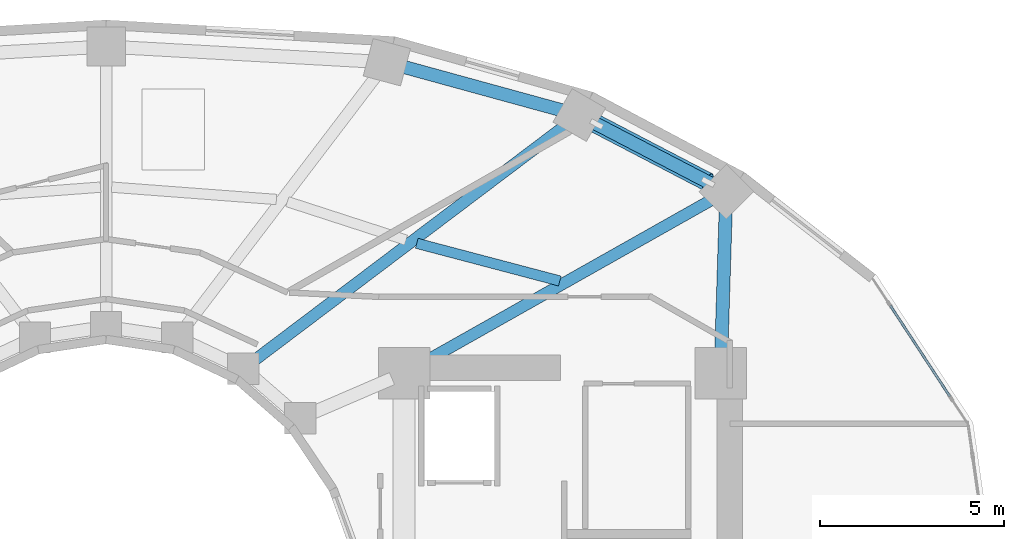
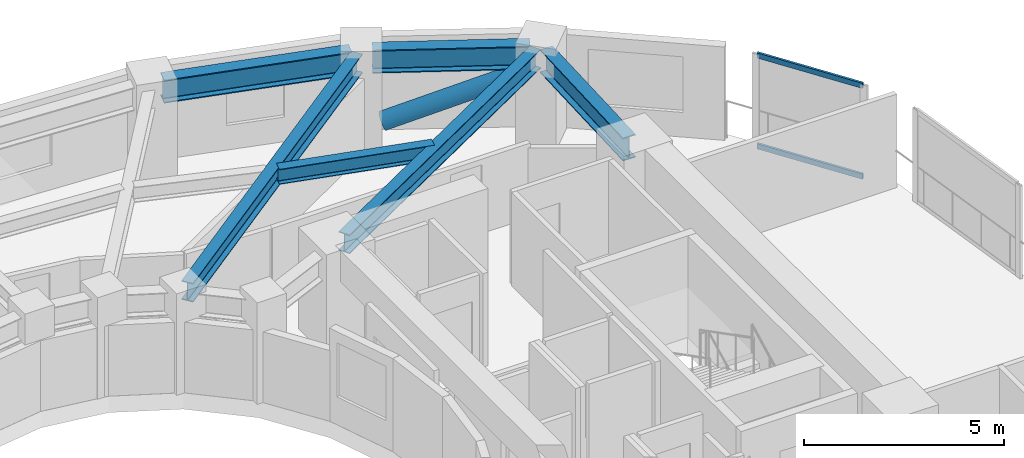
# One storey, part 4 of 13: 6 beams, 3 members, 1 element without a shape of its own.
"""IFC4 building model written with IfcOpenShell, lengths in metres."""

from ifc_helpers import new_model, si_unit, direction, frame, origin, origin_2d, place, context, subcontext, project, spatial, hollow_rectangle, hollow_circle, i_section, extrude, material, layer, layer_set, material_profile, profile_set, type_object, element, aggregate, save


model = new_model("IFC4")

# Units and contexts
model_context = context("Model", 3, precision=1e-05, world=origin(), true_north=direction((0.0, 1.0)))
body_context = subcontext(model_context, "Body", "Model", "MODEL_VIEW")
ifc_project = project(units=[si_unit("LENGTHUNIT", "METRE"), si_unit("AREAUNIT", "SQUARE_METRE"), si_unit("VOLUMEUNIT", "CUBIC_METRE"), si_unit("PLANEANGLEUNIT", "RADIAN"), si_unit("MASSUNIT", "GRAM", prefix="KILO")], contexts=[model_context])

# Site, building, storey
site_placement = place(None, origin())
site = spatial("IfcSite", under=ifc_project, at=site_placement, CompositionType="ELEMENT")
building_placement = place(site_placement, origin())
building = spatial("IfcBuilding", under=site, at=building_placement, Name="Solvane Sanctuary Tower", CompositionType="ELEMENT")
storey_placement = place(building_placement, frame((0.0, 0.0, 85.60009765625)))
storey = spatial("IfcBuildingStorey", under=building, at=storey_placement, Name="L25", CompositionType="ELEMENT", Elevation=85.60009765625)

# Beams
ifc_material_1 = material(Name="Steel ASTM A992 Grade 50", Category="steel")
ifc_material_profile_1 = material_profile(ifc_material_1, i_section(OverallWidth=0.31494140625, OverallDepth=0.575927734375, WebThickness=0.01513671875, FlangeThickness=0.0244140625, FilletRadius=0.014892578125, at=origin_2d()), Name="W21X122")
ifc_profile_set_1 = profile_set([ifc_material_profile_1], Name="Steel ASTM A992 Grade 50")
beam_type_1 = type_object("IfcBeamType", Name="Beam B-RAD-Z2 W21X122", PredefinedType="BEAM", material=ifc_profile_set_1)
beam_1_placement = place(storey_placement, frame((40.41357421875, 30.376953125, 2.58984375), z_axis=(0.870960247151, 0.491353485673, 0.0), x_axis=(-0.491353485673, 0.870960247151, 0.0)))
element("IfcBeam", 1, at=beam_1_placement, inside=storey, type_object=beam_type_1, Name="L25 Radial Composite Floor Beam 01", PredefinedType="BEAM", context=body_context, shape_type="SweptSolid", body=[
    extrude(i_section(OverallWidth=0.31494140625, OverallDepth=0.575927734375, WebThickness=0.01513671875, FlangeThickness=0.0244140625, FilletRadius=0.014892578125, at=origin_2d()), origin(), (0.0, 0.0, 1.0), 9.409912109375),
])
beam_2_placement = place(storey_placement, frame((35.95361328125, 30.495361328125, 2.58984375), z_axis=(0.798116040134, 0.602503764703, 0.0), x_axis=(-0.602503764703, 0.798116040134, 0.0)))
element("IfcBeam", 2, at=beam_2_placement, inside=storey, type_object=beam_type_1, Name="L25 Radial Composite Floor Beam 02", PredefinedType="BEAM", context=body_context, shape_type="SweptSolid", body=[
    extrude(i_section(OverallWidth=0.31494140625, OverallDepth=0.575927734375, WebThickness=0.01513671875, FlangeThickness=0.0244140625, FilletRadius=0.014892578125, at=origin_2d()), origin(), (0.0, 0.0, 1.0), 10.876953125),
])
ifc_material_profile_2 = material_profile(ifc_material_1, i_section(OverallWidth=0.280029296875, OverallDepth=0.462890625, WebThickness=0.0107421875, FlangeThickness=0.017333984375, FilletRadius=0.013916015625, at=origin_2d()), Name="W18X76")
ifc_profile_set_2 = profile_set([ifc_material_profile_2], Name="Steel ASTM A992 Grade 50")
beam_type_2 = type_object("IfcBeamType", Name="Beam B-SEC-JOIST W18X76", PredefinedType="JOIST", material=ifc_profile_set_2)
beam_3_placement = place(storey_placement, frame((40.441650390625, 33.733154296875, 2.646484375), z_axis=(0.966943832831, -0.2549894589, 0.0), x_axis=(0.2549894589, 0.966943832831, 0.0)))
element("IfcBeam", 3, at=beam_3_placement, inside=storey, type_object=beam_type_2, Name="L25 Secondary Circumferential Joist 02-01", PredefinedType="JOIST", context=body_context, shape_type="SweptSolid", body=[
    extrude(i_section(OverallWidth=0.280029296875, OverallDepth=0.462890625, WebThickness=0.0107421875, FlangeThickness=0.017333984375, FilletRadius=0.013916015625, at=origin_2d()), origin(), (0.0, 0.0, 1.0), 4.020263671875),
])
ifc_material_profile_3 = material_profile(ifc_material_1, i_section(OverallWidth=0.35791015625, OverallDepth=0.7060546875, WebThickness=0.018310546875, FlangeThickness=0.0302734375, FilletRadius=0.01806640625, at=origin_2d()), Name="W27X178")
ifc_profile_set_3 = profile_set([ifc_material_profile_3], Name="Steel ASTM A992 Grade 50")
beam_type_3 = type_object("IfcBeamType", Name="Beam B-SPAND-Z2 W27X178", PredefinedType="SPANDREL", material=ifc_profile_set_3)
beam_4_placement = place(storey_placement, frame((39.8994140625, 38.577880859375, 2.52490234375), z_axis=(0.964367605241, -0.26456591232, 0.0), x_axis=(0.26456591232, 0.964367605241, 0.0)))
element("IfcBeam", 4, at=beam_4_placement, inside=storey, type_object=beam_type_3, Name="L25 Perimeter Spandrel Beam TC03-TC02", PredefinedType="SPANDREL", context=body_context, shape_type="SweptSolid", body=[
    extrude(i_section(OverallWidth=0.35791015625, OverallDepth=0.7060546875, WebThickness=0.018310546875, FlangeThickness=0.0302734375, FilletRadius=0.01806640625, at=origin_2d()), origin(), (0.0, 0.0, 1.0), 4.8623046875),
])
beam_5_placement = place(storey_placement, frame((45.106689453125, 37.088134765625, 2.52490234375), z_axis=(0.887014995188, -0.461740618002, 0.0), x_axis=(0.461740618002, 0.887014995188, 0.0)))
element("IfcBeam", 5, at=beam_5_placement, inside=storey, type_object=beam_type_3, Name="L25 Perimeter Spandrel Beam TC02-TC01", PredefinedType="SPANDREL", context=body_context, shape_type="SweptSolid", body=[
    extrude(i_section(OverallWidth=0.35791015625, OverallDepth=0.7060546875, WebThickness=0.018310546875, FlangeThickness=0.0302734375, FilletRadius=0.01806640625, at=origin_2d()), origin(), (0.0, 0.0, 1.0), 3.943359375),
])
beam_6_placement = place(storey_placement, frame((48.84423828125, 34.858154296875, 2.52490234375), z_axis=(-0.03093371985, -0.999521437977, 0.0), x_axis=(0.999521437977, -0.03093371985, 0.0)))
element("IfcBeam", 6, at=beam_6_placement, inside=storey, type_object=beam_type_3, Name="L25 Perimeter Spandrel Beam TC01-CE3", PredefinedType="SPANDREL", context=body_context, shape_type="SweptSolid", body=[
    extrude(i_section(OverallWidth=0.35791015625, OverallDepth=0.7060546875, WebThickness=0.018310546875, FlangeThickness=0.0302734375, FilletRadius=0.01806640625, at=origin_2d()), origin(), (0.0, 0.0, 1.0), 4.38037109375),
])

# Curtain wall, members
ifc_material_2 = material(Name="Anodised Aluminium 6063-T6", Category="aluminium")
ifc_layer = layer(ifc_material_2, 0.2099609375, Name="Anodised Aluminium 6063-T6")
ifc_layer_set = layer_set([ifc_layer], Name="Anodised Aluminium 6063-T6")
curtain_wall_type = type_object("IfcCurtainWallType", Name="Curtain Wall CW-PORTAL", PredefinedType="NOTDEFINED", material=ifc_layer_set)
curtain_wall_placement = place(storey_placement, origin())
curtain_wall = element("IfcCurtainWall", 7, at=curtain_wall_placement, inside=storey, type_object=curtain_wall_type, Name="L25 CW-PORTAL Facade Run 01", PredefinedType="NOTDEFINED")
ifc_material_profile_4 = material_profile(ifc_material_2, hollow_rectangle(XDim=0.06494140625, YDim=0.159912109375, WallThickness=0.00341796875, at=origin_2d()), Name="ALU160X65X3.5")
ifc_profile_set_4 = profile_set([ifc_material_profile_4], Name="Anodised Aluminium 6063-T6")
member_type_1 = type_object("IfcMemberType", Name="Member M-CW-TRN-1 ALU160X65X3.5", PredefinedType="USERDEFINED", material=ifc_profile_set_4)
member_1_placement = place(storey_placement, frame((54.93115234375, 29.567138671875, 0.032470703125), z_axis=(-0.548295383015, 0.836284743951, 0.0), x_axis=(-0.836284743951, -0.548295383015, 0.0)))
member_1 = element("IfcMember", 8, at=member_1_placement, type_object=member_type_1, Name="CW-PORTAL transom 1.1", ObjectType="TRANSOM", PredefinedType="USERDEFINED", context=body_context, shape_type="SweptSolid", body=[
    extrude(hollow_rectangle(XDim=0.06494140625, YDim=0.159912109375, WallThickness=0.00341796875, at=origin_2d()), origin(), (0.0, 0.0, 1.0), 2.954345703125),
])
member_2_placement = place(storey_placement, frame((54.93115234375, 29.567138671875, 2.807373046875), z_axis=(-0.548295383015, 0.836284743951, 0.0), x_axis=(-0.836284743951, -0.548295383015, 0.0)))
member_2 = element("IfcMember", 9, at=member_2_placement, type_object=member_type_1, Name="CW-PORTAL transom 1.2", ObjectType="TRANSOM", PredefinedType="USERDEFINED", context=body_context, shape_type="SweptSolid", body=[
    extrude(hollow_rectangle(XDim=0.06494140625, YDim=0.159912109375, WallThickness=0.00341796875, at=origin_2d()), origin(), (0.0, 0.0, 1.0), 2.954345703125),
])
aggregate(curtain_wall, [member_1, member_2])

# Member
ifc_material_profile_5 = material_profile(ifc_material_1, hollow_circle(Radius=0.25390625, WallThickness=0.01611328125, at=origin_2d()), Name="CHS508X16")
ifc_profile_set_5 = profile_set([ifc_material_profile_5], Name="Steel ASTM A992 Grade 50")
member_type_2 = type_object("IfcMemberType", Name="Member M-TUBE-Z2 CHS508X16", PredefinedType="BRACE", material=ifc_profile_set_5)
member_3_placement = place(storey_placement, frame((45.332763671875, 36.970703125, 0.5927734375), z_axis=(0.824140553465, -0.429072126665, 0.369715374651), x_axis=(0.461792399626, 0.886988038052, 0.0)))
element("IfcMember", 10, at=member_3_placement, inside=storey, type_object=member_type_2, Name="L25 Perimeter Braced-Tube Diagonal NE", PredefinedType="BRACE", context=body_context, shape_type="SweptSolid", body=[
    extrude(hollow_circle(Radius=0.25390625, WallThickness=0.01611328125, at=origin_2d()), origin(), (0.0, 0.0, 1.0), 3.6689453125),
])

save(model, "model.ifc")
